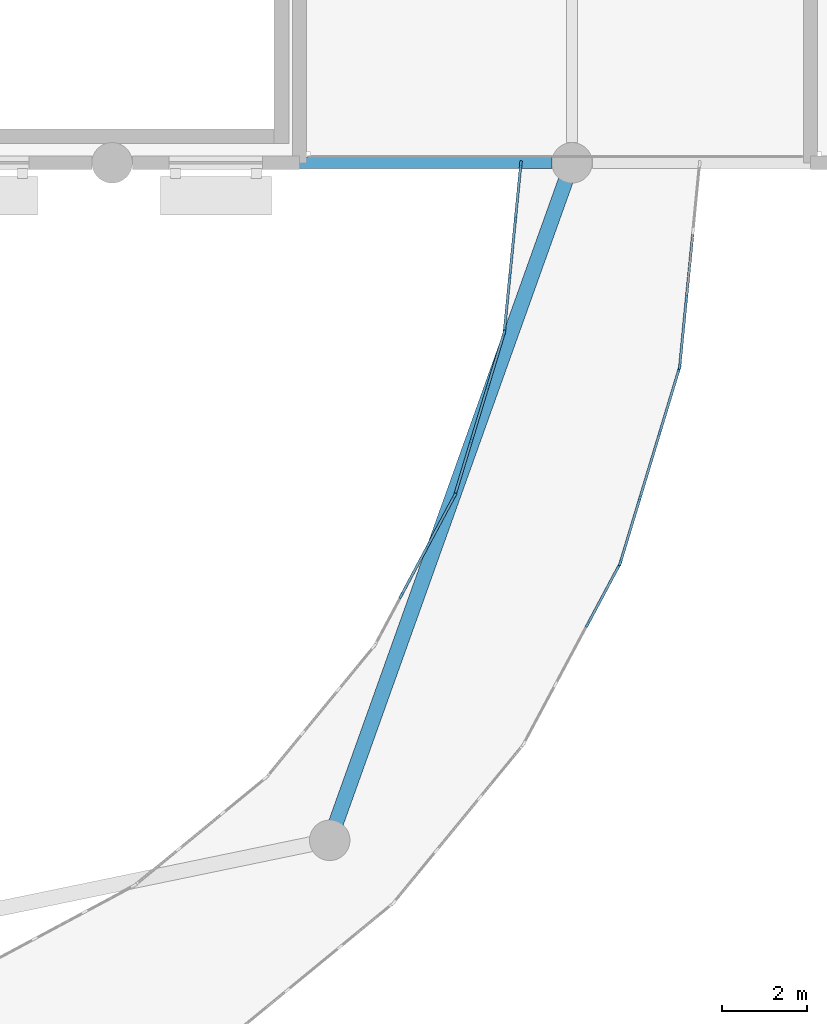
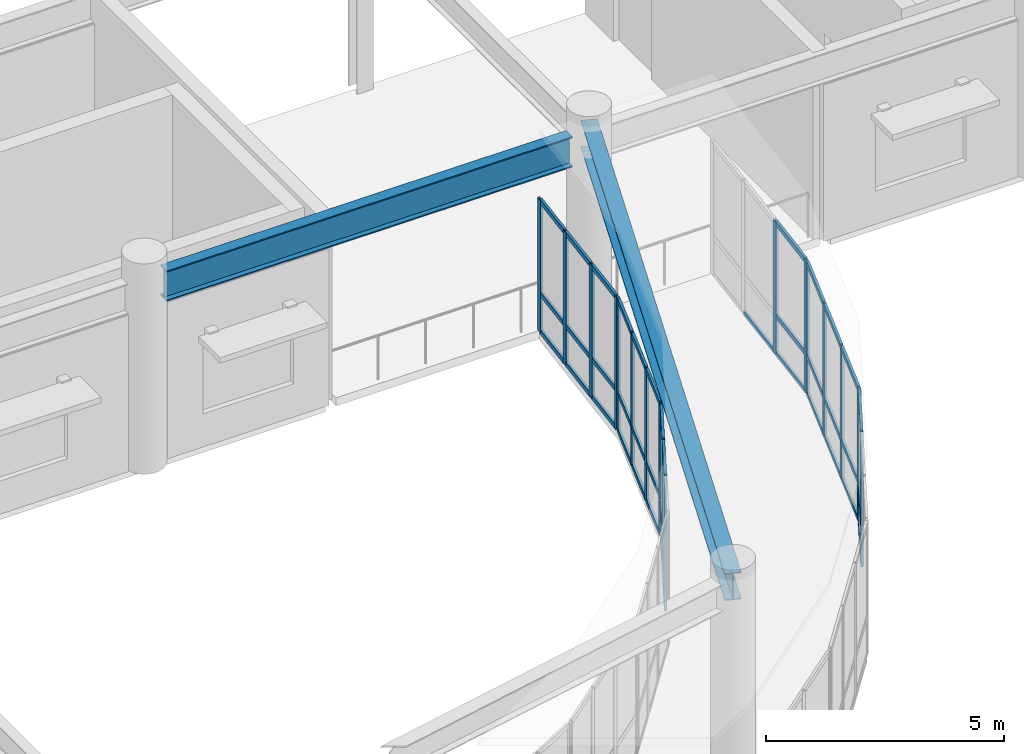
# One storey, part 25 of 68: 59 members, 2 beams, 6 elements without a shape of their own.
"""IFC4 building model written with IfcOpenShell, lengths in metres."""

from ifc_helpers import new_model, si_unit, direction, frame, origin, origin_2d, place, context, subcontext, project, spatial, rectangle, i_section, extrude, material, material_profile, profile_set, type_object, element, aggregate, save


model = new_model("IFC4")

# Units and contexts
model_context = context("Model", 3, precision=1e-05, world=origin(), true_north=direction((0.0, 1.0)))
body_context = subcontext(model_context, "Body", "Model", "MODEL_VIEW")
ifc_project = project(units=[si_unit("LENGTHUNIT", "METRE"), si_unit("AREAUNIT", "SQUARE_METRE"), si_unit("VOLUMEUNIT", "CUBIC_METRE"), si_unit("PLANEANGLEUNIT", "RADIAN"), si_unit("MASSUNIT", "GRAM", prefix="KILO")], contexts=[model_context])

# Site, building, storey
site_placement = place(None, origin())
site = spatial("IfcSite", under=ifc_project, at=site_placement, CompositionType="ELEMENT")
building_placement = place(site_placement, origin())
building = spatial("IfcBuilding", under=site, at=building_placement, Name="Veldera Park Congress Hotel", CompositionType="ELEMENT")
storey_placement = place(building_placement, frame((0.0, 0.0, 10.800048828125)))
storey = spatial("IfcBuildingStorey", under=building, at=storey_placement, Name="L02", CompositionType="ELEMENT", Elevation=10.800048828125)

# Beams
ifc_material_1 = material(Name="Steel ASTM A992 Gr.50", Category="steel")
ifc_material_profile_1 = material_profile(ifc_material_1, i_section(OverallWidth=0.35498046875, OverallDepth=0.696044921875, WebThickness=0.015380859375, FlangeThickness=0.02490234375, at=origin_2d()), Name="W27X146")
ifc_profile_set_1 = profile_set([ifc_material_profile_1], Name="Steel ASTM A992 Gr.50")
beam_type_1 = type_object("IfcBeamType", Name="BM-W27E", PredefinedType="BEAM", material=ifc_profile_set_1)
beam_1_placement = place(storey_placement, frame((14.309814453125, 1.489990234375, 4.64990234375), z_axis=(0.336760153305, 0.94159046254, 0.0), x_axis=(-0.94159046254, 0.336760153305, 0.0)))
element("IfcBeam", 1, at=beam_1_placement, inside=storey, type_object=beam_type_1, Name="L02 Skybridge Support Girder B W", PredefinedType="BEAM", context=body_context, shape_type="SweptSolid", body=[
    extrude(i_section(OverallWidth=0.35498046875, OverallDepth=0.696044921875, WebThickness=0.015380859375, FlangeThickness=0.02490234375, at=origin_2d()), origin(), (0.0, 0.0, 1.0), 16.896728515625),
])
ifc_material_profile_2 = material_profile(ifc_material_1, i_section(OverallWidth=0.26708984375, OverallDepth=0.779052734375, WebThickness=0.0166015625, FlangeThickness=0.030029296875, at=origin_2d()), Name="W30X148")
ifc_profile_set_2 = profile_set([ifc_material_profile_2], Name="Steel ASTM A992 Gr.50")
beam_type_2 = type_object("IfcBeamType", Name="BM-W30", PredefinedType="BEAM", material=ifc_profile_set_2)
beam_2_placement = place(storey_placement, frame((9.675048828125, 17.39990234375, 4.410400390625), z_axis=(1.0, 0.0, 0.0), x_axis=(0.0, 1.0, 0.0)))
element("IfcBeam", 2, at=beam_2_placement, inside=storey, type_object=beam_type_2, Name="L02 Girder BM-W30 869", PredefinedType="BEAM", context=body_context, shape_type="SweptSolid", body=[
    extrude(i_section(OverallWidth=0.26708984375, OverallDepth=0.779052734375, WebThickness=0.0166015625, FlangeThickness=0.030029296875, at=origin_2d()), origin(), (0.0, 0.0, 1.0), 9.849853515625),
])

# Curtain wall, members
ifc_material_2 = material(Name="Low-E Triple Insulating Glass Unit (SHGC 0.22)", Category="glass")
curtain_wall_type = type_object("IfcCurtainWallType", Name="CW-BRG", PredefinedType="NOTDEFINED", material=ifc_material_2)
curtain_wall_1_placement = place(storey_placement, origin())
curtain_wall_1 = element("IfcCurtainWall", 3, at=curtain_wall_1_placement, inside=storey, type_object=curtain_wall_type, Name="L02 Curtain Wall CW3-BRGW-L02-A05", PredefinedType="NOTDEFINED")
ifc_material_3 = material(Name="Anodised Aluminium Alloy 6063-T6", Category="aluminium")
ifc_material_profile_3 = material_profile(ifc_material_3, rectangle(XDim=0.06005859375, YDim=0.159912109375, at=origin_2d()), Name="ALU 60x160")
ifc_profile_set_3 = profile_set([ifc_material_profile_3], Name="Anodised Aluminium Alloy 6063-T6")
member_type_1 = type_object("IfcMemberType", Name="CWM-160", PredefinedType="MULLION", material=ifc_profile_set_3)
member_1_placement = place(storey_placement, frame((20.36962890625, 6.568359375, 0.0), z_axis=(0.0, 0.0, 1.0), x_axis=(-0.881927804203, 0.471384501415, 0.0)))
member_1 = element("IfcMember", 4, at=member_1_placement, type_object=member_type_1, Name="CW-BRG mullion 3", PredefinedType="MULLION", context=body_context, shape_type="SweptSolid", body=[
    extrude(rectangle(XDim=0.06005859375, YDim=0.159912109375, at=origin_2d()), origin(), (0.0, 0.0, 1.0), 3.39990234375),
])
member_2_placement = place(storey_placement, frame((21.11328125, 7.95947265625, 0.0), z_axis=(0.0, 0.0, 1.0), x_axis=(-0.881927804203, 0.471384501415, 0.0)))
member_2 = element("IfcMember", 5, at=member_2_placement, type_object=member_type_1, Name="CW-BRG mullion 4", PredefinedType="MULLION", context=body_context, shape_type="SweptSolid", body=[
    extrude(rectangle(XDim=0.06005859375, YDim=0.159912109375, at=origin_2d()), origin(), (0.0, 0.0, 1.0), 3.39990234375),
])

curtain_wall_2_placement = place(storey_placement, origin())
curtain_wall_2 = element("IfcCurtainWall", 6, at=curtain_wall_2_placement, inside=storey, type_object=curtain_wall_type, Name="L02 Curtain Wall CW3-BRGW-L02-A06", PredefinedType="NOTDEFINED")
member_3_placement = place(storey_placement, frame((21.13623046875, 8.0146484375, 0.0), z_axis=(0.0, 0.0, 1.0), x_axis=(-0.956939429957, 0.290287663177, 0.0)))
member_3 = element("IfcMember", 7, at=member_3_placement, type_object=member_type_1, Name="CW-BRG mullion 1", PredefinedType="MULLION", context=body_context, shape_type="SweptSolid", body=[
    extrude(rectangle(XDim=0.06005859375, YDim=0.159912109375, at=origin_2d()), origin(), (0.0, 0.0, 1.0), 3.39990234375),
])
member_4_placement = place(storey_placement, frame((21.593994140625, 9.524169921875, 0.0), z_axis=(0.0, 0.0, 1.0), x_axis=(-0.956939429957, 0.290287663177, 0.0)))
member_4 = element("IfcMember", 8, at=member_4_placement, type_object=member_type_1, Name="CW-BRG mullion 2", PredefinedType="MULLION", context=body_context, shape_type="SweptSolid", body=[
    extrude(rectangle(XDim=0.06005859375, YDim=0.159912109375, at=origin_2d()), origin(), (0.0, 0.0, 1.0), 3.39990234375),
])
member_5_placement = place(storey_placement, frame((22.060546875, 11.0625, 0.0), z_axis=(0.0, 0.0, 1.0), x_axis=(-0.956939429957, 0.290287663177, 0.0)))
member_5 = element("IfcMember", 9, at=member_5_placement, type_object=member_type_1, Name="CW-BRG mullion 3", PredefinedType="MULLION", context=body_context, shape_type="SweptSolid", body=[
    extrude(rectangle(XDim=0.06005859375, YDim=0.159912109375, at=origin_2d()), origin(), (0.0, 0.0, 1.0), 3.39990234375),
])
member_6_placement = place(storey_placement, frame((22.5185546875, 12.572021484375, 0.0), z_axis=(0.0, 0.0, 1.0), x_axis=(-0.956939429957, 0.290287663177, 0.0)))
member_6 = element("IfcMember", 10, at=member_6_placement, type_object=member_type_1, Name="CW-BRG mullion 4", PredefinedType="MULLION", context=body_context, shape_type="SweptSolid", body=[
    extrude(rectangle(XDim=0.06005859375, YDim=0.159912109375, at=origin_2d()), origin(), (0.0, 0.0, 1.0), 3.39990234375),
])

curtain_wall_3_placement = place(storey_placement, origin())
curtain_wall_3 = element("IfcCurtainWall", 11, at=curtain_wall_3_placement, inside=storey, type_object=curtain_wall_type, Name="L02 Curtain Wall CW3-BRGW-L02-A07", PredefinedType="NOTDEFINED")
member_7_placement = place(storey_placement, frame((22.5302734375, 12.630615234375, 0.0), z_axis=(0.0, 0.0, 1.0), x_axis=(-0.995184320963, 0.098021259481, 0.0)))
member_7 = element("IfcMember", 12, at=member_7_placement, type_object=member_type_1, Name="CW-BRG mullion 1", PredefinedType="MULLION", context=body_context, shape_type="SweptSolid", body=[
    extrude(rectangle(XDim=0.06005859375, YDim=0.159912109375, at=origin_2d()), origin(), (0.0, 0.0, 1.0), 3.39990234375),
])
member_8_placement = place(storey_placement, frame((22.684814453125, 14.200439453125, 0.0), z_axis=(0.0, 0.0, 1.0), x_axis=(-0.995184320963, 0.098021259481, 0.0)))
member_8 = element("IfcMember", 13, at=member_8_placement, type_object=member_type_1, Name="CW-BRG mullion 2", PredefinedType="MULLION", context=body_context, shape_type="SweptSolid", body=[
    extrude(rectangle(XDim=0.06005859375, YDim=0.159912109375, at=origin_2d()), origin(), (0.0, 0.0, 1.0), 3.39990234375),
])

curtain_wall_4_placement = place(storey_placement, origin())
curtain_wall_4 = element("IfcCurtainWall", 14, at=curtain_wall_4_placement, inside=storey, type_object=curtain_wall_type, Name="L02 Curtain Wall CW3-BRGW-L02-B09", PredefinedType="NOTDEFINED")
member_9_placement = place(storey_placement, frame((18.797119140625, 17.3701171875, 0.0), z_axis=(0.0, 0.0, 1.0), x_axis=(0.99518414337, -0.098023062513, 0.0)))
member_9 = element("IfcMember", 15, at=member_9_placement, type_object=member_type_1, Name="CW-BRG mullion 1", PredefinedType="MULLION", context=body_context, shape_type="SweptSolid", body=[
    extrude(rectangle(XDim=0.06005859375, YDim=0.159912109375, at=origin_2d()), origin(), (0.0, 0.0, 1.0), 3.39990234375),
])
member_10_placement = place(storey_placement, frame((18.66943359375, 16.073486328125, 0.0), z_axis=(0.0, 0.0, 1.0), x_axis=(0.99518414337, -0.098023062513, 0.0)))
member_10 = element("IfcMember", 16, at=member_10_placement, type_object=member_type_1, Name="CW-BRG mullion 2", PredefinedType="MULLION", context=body_context, shape_type="SweptSolid", body=[
    extrude(rectangle(XDim=0.06005859375, YDim=0.159912109375, at=origin_2d()), origin(), (0.0, 0.0, 1.0), 3.39990234375),
])
member_11_placement = place(storey_placement, frame((18.53857421875, 14.746826171875, 0.0), z_axis=(0.0, 0.0, 1.0), x_axis=(0.99518414337, -0.098023062513, 0.0)))
member_11 = element("IfcMember", 17, at=member_11_placement, type_object=member_type_1, Name="CW-BRG mullion 3", PredefinedType="MULLION", context=body_context, shape_type="SweptSolid", body=[
    extrude(rectangle(XDim=0.06005859375, YDim=0.159912109375, at=origin_2d()), origin(), (0.0, 0.0, 1.0), 3.39990234375),
])
member_12_placement = place(storey_placement, frame((18.410888671875, 13.449951171875, 0.0), z_axis=(0.0, 0.0, 1.0), x_axis=(0.99518414337, -0.098023062513, 0.0)))
member_12 = element("IfcMember", 18, at=member_12_placement, type_object=member_type_1, Name="CW-BRG mullion 4", PredefinedType="MULLION", context=body_context, shape_type="SweptSolid", body=[
    extrude(rectangle(XDim=0.06005859375, YDim=0.159912109375, at=origin_2d()), origin(), (0.0, 0.0, 1.0), 3.39990234375),
])

curtain_wall_5_placement = place(storey_placement, origin())
curtain_wall_5 = element("IfcCurtainWall", 19, at=curtain_wall_5_placement, inside=storey, type_object=curtain_wall_type, Name="L02 Curtain Wall CW3-BRGW-L02-B10", PredefinedType="NOTDEFINED")
member_13_placement = place(storey_placement, frame((18.399169921875, 13.3916015625, 0.0), z_axis=(0.0, 0.0, 1.0), x_axis=(0.956938767513, -0.290289846929, 0.0)))
member_13 = element("IfcMember", 20, at=member_13_placement, type_object=member_type_1, Name="CW-BRG mullion 1", PredefinedType="MULLION", context=body_context, shape_type="SweptSolid", body=[
    extrude(rectangle(XDim=0.06005859375, YDim=0.159912109375, at=origin_2d()), origin(), (0.0, 0.0, 1.0), 3.39990234375),
])
member_14_placement = place(storey_placement, frame((18.02099609375, 12.14453125, 0.0), z_axis=(0.0, 0.0, 1.0), x_axis=(0.956938767513, -0.290289846929, 0.0)))
member_14 = element("IfcMember", 21, at=member_14_placement, type_object=member_type_1, Name="CW-BRG mullion 2", PredefinedType="MULLION", context=body_context, shape_type="SweptSolid", body=[
    extrude(rectangle(XDim=0.06005859375, YDim=0.159912109375, at=origin_2d()), origin(), (0.0, 0.0, 1.0), 3.39990234375),
])
member_15_placement = place(storey_placement, frame((17.634033203125, 10.868896484375, 0.0), z_axis=(0.0, 0.0, 1.0), x_axis=(0.956938767513, -0.290289846929, 0.0)))
member_15 = element("IfcMember", 22, at=member_15_placement, type_object=member_type_1, Name="CW-BRG mullion 3", PredefinedType="MULLION", context=body_context, shape_type="SweptSolid", body=[
    extrude(rectangle(XDim=0.06005859375, YDim=0.159912109375, at=origin_2d()), origin(), (0.0, 0.0, 1.0), 3.39990234375),
])
member_16_placement = place(storey_placement, frame((17.255859375, 9.6220703125, 0.0), z_axis=(0.0, 0.0, 1.0), x_axis=(0.956938767513, -0.290289846929, 0.0)))
member_16 = element("IfcMember", 23, at=member_16_placement, type_object=member_type_1, Name="CW-BRG mullion 4", PredefinedType="MULLION", context=body_context, shape_type="SweptSolid", body=[
    extrude(rectangle(XDim=0.06005859375, YDim=0.159912109375, at=origin_2d()), origin(), (0.0, 0.0, 1.0), 3.39990234375),
])

curtain_wall_6_placement = place(storey_placement, origin())
curtain_wall_6 = element("IfcCurtainWall", 24, at=curtain_wall_6_placement, inside=storey, type_object=curtain_wall_type, Name="L02 Curtain Wall CW3-BRGW-L02-B11", PredefinedType="NOTDEFINED")
member_17_placement = place(storey_placement, frame((17.23291015625, 9.56689453125, 0.0), z_axis=(0.0, 0.0, 1.0), x_axis=(0.881928263239, -0.471383642588, 0.0)))
member_17 = element("IfcMember", 25, at=member_17_placement, type_object=member_type_1, Name="CW-BRG mullion 1", PredefinedType="MULLION", context=body_context, shape_type="SweptSolid", body=[
    extrude(rectangle(XDim=0.06005859375, YDim=0.159912109375, at=origin_2d()), origin(), (0.0, 0.0, 1.0), 3.39990234375),
])
member_18_placement = place(storey_placement, frame((16.61865234375, 8.417724609375, 0.0), z_axis=(0.0, 0.0, 1.0), x_axis=(0.881928263239, -0.471383642588, 0.0)))
member_18 = element("IfcMember", 26, at=member_18_placement, type_object=member_type_1, Name="CW-BRG mullion 2", PredefinedType="MULLION", context=body_context, shape_type="SweptSolid", body=[
    extrude(rectangle(XDim=0.06005859375, YDim=0.159912109375, at=origin_2d()), origin(), (0.0, 0.0, 1.0), 3.39990234375),
])
member_19_placement = place(storey_placement, frame((15.990478515625, 7.241943359375, 0.0), z_axis=(0.0, 0.0, 1.0), x_axis=(0.881928263239, -0.471383642588, 0.0)))
member_19 = element("IfcMember", 27, at=member_19_placement, type_object=member_type_1, Name="CW-BRG mullion 3", PredefinedType="MULLION", context=body_context, shape_type="SweptSolid", body=[
    extrude(rectangle(XDim=0.06005859375, YDim=0.159912109375, at=origin_2d()), origin(), (0.0, 0.0, 1.0), 3.39990234375),
])

# Member
ifc_material_profile_4 = material_profile(ifc_material_3, rectangle(XDim=0.06005859375, YDim=0.1201171875, at=origin_2d()), Name="ALU 60x120")
ifc_profile_set_4 = profile_set([ifc_material_profile_4], Name="Anodised Aluminium Alloy 6063-T6")
member_type_2 = type_object("IfcMemberType", Name="CWT-120", PredefinedType="USERDEFINED", material=ifc_profile_set_4)
member_20_placement = place(storey_placement, frame((20.3837890625, 6.5947265625, 0.030029296875), z_axis=(0.4713729563, 0.881933974892, 0.0), x_axis=(-0.881933974892, 0.4713729563, 0.0)))
member_20 = element("IfcMember", 28, at=member_20_placement, type_object=member_type_2, Name="CW-BRG transom 3.1", ObjectType="TRANSOM", PredefinedType="USERDEFINED", context=body_context, shape_type="SweptSolid", body=[
    extrude(rectangle(XDim=0.06005859375, YDim=0.1201171875, at=origin_2d()), origin(), (0.0, 0.0, 1.0), 1.517578125),
])

member_21_placement = place(storey_placement, frame((20.3837890625, 6.5947265625, 1.0), z_axis=(0.4713729563, 0.881933974892, 0.0), x_axis=(-0.881933974892, 0.4713729563, 0.0)))
member_21 = element("IfcMember", 29, at=member_21_placement, type_object=member_type_2, Name="CW-BRG transom 3.2", ObjectType="TRANSOM", PredefinedType="USERDEFINED", context=body_context, shape_type="SweptSolid", body=[
    extrude(rectangle(XDim=0.06005859375, YDim=0.1201171875, at=origin_2d()), origin(), (0.0, 0.0, 1.0), 1.517578125),
])

member_22_placement = place(storey_placement, frame((20.3837890625, 6.5947265625, 3.369873046875), z_axis=(0.4713729563, 0.881933974892, 0.0), x_axis=(-0.881933974892, 0.4713729563, 0.0)))
member_22 = element("IfcMember", 30, at=member_22_placement, type_object=member_type_2, Name="CW-BRG transom 3.3", ObjectType="TRANSOM", PredefinedType="USERDEFINED", context=body_context, shape_type="SweptSolid", body=[
    extrude(rectangle(XDim=0.06005859375, YDim=0.1201171875, at=origin_2d()), origin(), (0.0, 0.0, 1.0), 1.517578125),
])

aggregate(curtain_wall_1, [member_1, member_2, member_20, member_21, member_22])

member_23_placement = place(storey_placement, frame((21.144775390625, 8.04345703125, 0.030029296875), z_axis=(0.290239583177, 0.956954013711, 0.0), x_axis=(-0.956954013711, 0.290239583177, 0.0)))
member_23 = element("IfcMember", 31, at=member_23_placement, type_object=member_type_2, Name="CW-BRG transom 1.1", ObjectType="TRANSOM", PredefinedType="USERDEFINED", context=body_context, shape_type="SweptSolid", body=[
    extrude(rectangle(XDim=0.06005859375, YDim=0.1201171875, at=origin_2d()), origin(), (0.0, 0.0, 1.0), 1.517578125),
])

member_24_placement = place(storey_placement, frame((21.144775390625, 8.04345703125, 1.0), z_axis=(0.290239583177, 0.956954013711, 0.0), x_axis=(-0.956954013711, 0.290239583177, 0.0)))
member_24 = element("IfcMember", 32, at=member_24_placement, type_object=member_type_2, Name="CW-BRG transom 1.2", ObjectType="TRANSOM", PredefinedType="USERDEFINED", context=body_context, shape_type="SweptSolid", body=[
    extrude(rectangle(XDim=0.06005859375, YDim=0.1201171875, at=origin_2d()), origin(), (0.0, 0.0, 1.0), 1.517578125),
])

member_25_placement = place(storey_placement, frame((21.144775390625, 8.04345703125, 3.369873046875), z_axis=(0.290239583177, 0.956954013711, 0.0), x_axis=(-0.956954013711, 0.290239583177, 0.0)))
member_25 = element("IfcMember", 33, at=member_25_placement, type_object=member_type_2, Name="CW-BRG transom 1.3", ObjectType="TRANSOM", PredefinedType="USERDEFINED", context=body_context, shape_type="SweptSolid", body=[
    extrude(rectangle(XDim=0.06005859375, YDim=0.1201171875, at=origin_2d()), origin(), (0.0, 0.0, 1.0), 1.517578125),
])

member_26_placement = place(storey_placement, frame((21.602783203125, 9.552978515625, 0.030029296875), z_axis=(0.29027008903, 0.9569447609, 0.0), x_axis=(-0.9569447609, 0.29027008903, 0.0)))
member_26 = element("IfcMember", 34, at=member_26_placement, type_object=member_type_2, Name="CW-BRG transom 2.1", ObjectType="TRANSOM", PredefinedType="USERDEFINED", context=body_context, shape_type="SweptSolid", body=[
    extrude(rectangle(XDim=0.06005859375, YDim=0.1201171875, at=origin_2d()), origin(), (0.0, 0.0, 1.0), 1.547607421875),
])

member_27_placement = place(storey_placement, frame((21.602783203125, 9.552978515625, 1.0), z_axis=(0.29027008903, 0.9569447609, 0.0), x_axis=(-0.9569447609, 0.29027008903, 0.0)))
member_27 = element("IfcMember", 35, at=member_27_placement, type_object=member_type_2, Name="CW-BRG transom 2.2", ObjectType="TRANSOM", PredefinedType="USERDEFINED", context=body_context, shape_type="SweptSolid", body=[
    extrude(rectangle(XDim=0.06005859375, YDim=0.1201171875, at=origin_2d()), origin(), (0.0, 0.0, 1.0), 1.547607421875),
])

member_28_placement = place(storey_placement, frame((21.602783203125, 9.552978515625, 3.369873046875), z_axis=(0.29027008903, 0.9569447609, 0.0), x_axis=(-0.9569447609, 0.29027008903, 0.0)))
member_28 = element("IfcMember", 36, at=member_28_placement, type_object=member_type_2, Name="CW-BRG transom 2.3", ObjectType="TRANSOM", PredefinedType="USERDEFINED", context=body_context, shape_type="SweptSolid", body=[
    extrude(rectangle(XDim=0.06005859375, YDim=0.1201171875, at=origin_2d()), origin(), (0.0, 0.0, 1.0), 1.547607421875),
])

member_29_placement = place(storey_placement, frame((22.0693359375, 11.09130859375, 0.030029296875), z_axis=(0.290239583177, 0.956954013711, 0.0), x_axis=(-0.956954013711, 0.290239583177, 0.0)))
member_29 = element("IfcMember", 37, at=member_29_placement, type_object=member_type_2, Name="CW-BRG transom 3.1", ObjectType="TRANSOM", PredefinedType="USERDEFINED", context=body_context, shape_type="SweptSolid", body=[
    extrude(rectangle(XDim=0.06005859375, YDim=0.1201171875, at=origin_2d()), origin(), (0.0, 0.0, 1.0), 1.517578125),
])

member_30_placement = place(storey_placement, frame((22.0693359375, 11.09130859375, 1.0), z_axis=(0.290239583177, 0.956954013711, 0.0), x_axis=(-0.956954013711, 0.290239583177, 0.0)))
member_30 = element("IfcMember", 38, at=member_30_placement, type_object=member_type_2, Name="CW-BRG transom 3.2", ObjectType="TRANSOM", PredefinedType="USERDEFINED", context=body_context, shape_type="SweptSolid", body=[
    extrude(rectangle(XDim=0.06005859375, YDim=0.1201171875, at=origin_2d()), origin(), (0.0, 0.0, 1.0), 1.517578125),
])

member_31_placement = place(storey_placement, frame((22.0693359375, 11.09130859375, 3.369873046875), z_axis=(0.290239583177, 0.956954013711, 0.0), x_axis=(-0.956954013711, 0.290239583177, 0.0)))
member_31 = element("IfcMember", 39, at=member_31_placement, type_object=member_type_2, Name="CW-BRG transom 3.3", ObjectType="TRANSOM", PredefinedType="USERDEFINED", context=body_context, shape_type="SweptSolid", body=[
    extrude(rectangle(XDim=0.06005859375, YDim=0.1201171875, at=origin_2d()), origin(), (0.0, 0.0, 1.0), 1.517578125),
])

aggregate(curtain_wall_2, [member_3, member_4, member_5, member_6, member_23, member_24, member_25, member_26, member_27, member_28, member_29, member_30, member_31])

member_32_placement = place(storey_placement, frame((22.533203125, 12.660400390625, 0.030029296875), z_axis=(0.097974467756, 0.99518892863, 0.0), x_axis=(-0.99518892863, 0.097974467756, 0.0)))
member_32 = element("IfcMember", 40, at=member_32_placement, type_object=member_type_2, Name="CW-BRG transom 1.1", ObjectType="TRANSOM", PredefinedType="USERDEFINED", context=body_context, shape_type="SweptSolid", body=[
    extrude(rectangle(XDim=0.06005859375, YDim=0.1201171875, at=origin_2d()), origin(), (0.0, 0.0, 1.0), 1.517578125),
])

member_33_placement = place(storey_placement, frame((22.533203125, 12.660400390625, 1.0), z_axis=(0.097974467756, 0.99518892863, 0.0), x_axis=(-0.99518892863, 0.097974467756, 0.0)))
member_33 = element("IfcMember", 41, at=member_33_placement, type_object=member_type_2, Name="CW-BRG transom 1.2", ObjectType="TRANSOM", PredefinedType="USERDEFINED", context=body_context, shape_type="SweptSolid", body=[
    extrude(rectangle(XDim=0.06005859375, YDim=0.1201171875, at=origin_2d()), origin(), (0.0, 0.0, 1.0), 1.517578125),
])

member_34_placement = place(storey_placement, frame((22.533203125, 12.660400390625, 3.369873046875), z_axis=(0.097974467756, 0.99518892863, 0.0), x_axis=(-0.99518892863, 0.097974467756, 0.0)))
member_34 = element("IfcMember", 42, at=member_34_placement, type_object=member_type_2, Name="CW-BRG transom 1.3", ObjectType="TRANSOM", PredefinedType="USERDEFINED", context=body_context, shape_type="SweptSolid", body=[
    extrude(rectangle(XDim=0.06005859375, YDim=0.1201171875, at=origin_2d()), origin(), (0.0, 0.0, 1.0), 1.517578125),
])

member_35_placement = place(storey_placement, frame((22.687744140625, 14.23046875, 0.030029296875), z_axis=(0.09812904888, 0.995173698289, 0.0), x_axis=(-0.995173698289, 0.09812904888, 0.0)))
member_35 = element("IfcMember", 43, at=member_35_placement, type_object=member_type_2, Name="CW-BRG transom 2.1", ObjectType="TRANSOM", PredefinedType="USERDEFINED", context=body_context, shape_type="SweptSolid", body=[
    extrude(rectangle(XDim=0.06005859375, YDim=0.1201171875, at=origin_2d()), origin(), (0.0, 0.0, 1.0), 1.547607421875),
])

aggregate(curtain_wall_3, [member_7, member_8, member_32, member_33, member_34, member_35])

member_36_placement = place(storey_placement, frame((18.794189453125, 17.34033203125, 0.030029296875), z_axis=(-0.098006258807, -0.995185798349, 0.0), x_axis=(0.995185798349, -0.098006258807, 0.0)))
member_36 = element("IfcMember", 44, at=member_36_placement, type_object=member_type_2, Name="CW-BRG transom 1.1", ObjectType="TRANSOM", PredefinedType="USERDEFINED", context=body_context, shape_type="SweptSolid", body=[
    extrude(rectangle(XDim=0.06005859375, YDim=0.1201171875, at=origin_2d()), origin(), (0.0, 0.0, 1.0), 1.2431640625),
])

member_37_placement = place(storey_placement, frame((18.794189453125, 17.34033203125, 1.0), z_axis=(-0.098006258807, -0.995185798349, 0.0), x_axis=(0.995185798349, -0.098006258807, 0.0)))
member_37 = element("IfcMember", 45, at=member_37_placement, type_object=member_type_2, Name="CW-BRG transom 1.2", ObjectType="TRANSOM", PredefinedType="USERDEFINED", context=body_context, shape_type="SweptSolid", body=[
    extrude(rectangle(XDim=0.06005859375, YDim=0.1201171875, at=origin_2d()), origin(), (0.0, 0.0, 1.0), 1.2431640625),
])

member_38_placement = place(storey_placement, frame((18.794189453125, 17.34033203125, 3.369873046875), z_axis=(-0.098006258807, -0.995185798349, 0.0), x_axis=(0.995185798349, -0.098006258807, 0.0)))
member_38 = element("IfcMember", 46, at=member_38_placement, type_object=member_type_2, Name="CW-BRG transom 1.3", ObjectType="TRANSOM", PredefinedType="USERDEFINED", context=body_context, shape_type="SweptSolid", body=[
    extrude(rectangle(XDim=0.06005859375, YDim=0.1201171875, at=origin_2d()), origin(), (0.0, 0.0, 1.0), 1.2431640625),
])

member_39_placement = place(storey_placement, frame((18.66650390625, 16.04345703125, 0.030029296875), z_axis=(-0.098193425009, -0.995167348382, 0.0), x_axis=(0.995167348382, -0.098193425009, 0.0)))
member_39 = element("IfcMember", 47, at=member_39_placement, type_object=member_type_2, Name="CW-BRG transom 2.1", ObjectType="TRANSOM", PredefinedType="USERDEFINED", context=body_context, shape_type="SweptSolid", body=[
    extrude(rectangle(XDim=0.06005859375, YDim=0.1201171875, at=origin_2d()), origin(), (0.0, 0.0, 1.0), 1.27294921875),
])

member_40_placement = place(storey_placement, frame((18.66650390625, 16.04345703125, 1.0), z_axis=(-0.098193425009, -0.995167348382, 0.0), x_axis=(0.995167348382, -0.098193425009, 0.0)))
member_40 = element("IfcMember", 48, at=member_40_placement, type_object=member_type_2, Name="CW-BRG transom 2.2", ObjectType="TRANSOM", PredefinedType="USERDEFINED", context=body_context, shape_type="SweptSolid", body=[
    extrude(rectangle(XDim=0.06005859375, YDim=0.1201171875, at=origin_2d()), origin(), (0.0, 0.0, 1.0), 1.27294921875),
])

member_41_placement = place(storey_placement, frame((18.66650390625, 16.04345703125, 3.369873046875), z_axis=(-0.098193425009, -0.995167348382, 0.0), x_axis=(0.995167348382, -0.098193425009, 0.0)))
member_41 = element("IfcMember", 49, at=member_41_placement, type_object=member_type_2, Name="CW-BRG transom 2.3", ObjectType="TRANSOM", PredefinedType="USERDEFINED", context=body_context, shape_type="SweptSolid", body=[
    extrude(rectangle(XDim=0.06005859375, YDim=0.1201171875, at=origin_2d()), origin(), (0.0, 0.0, 1.0), 1.27294921875),
])

member_42_placement = place(storey_placement, frame((18.53564453125, 14.717041015625, 0.030029296875), z_axis=(-0.098006258807, -0.995185798349, 0.0), x_axis=(0.995185798349, -0.098006258807, 0.0)))
member_42 = element("IfcMember", 50, at=member_42_placement, type_object=member_type_2, Name="CW-BRG transom 3.1", ObjectType="TRANSOM", PredefinedType="USERDEFINED", context=body_context, shape_type="SweptSolid", body=[
    extrude(rectangle(XDim=0.06005859375, YDim=0.1201171875, at=origin_2d()), origin(), (0.0, 0.0, 1.0), 1.2431640625),
])

member_43_placement = place(storey_placement, frame((18.53564453125, 14.717041015625, 1.0), z_axis=(-0.098006258807, -0.995185798349, 0.0), x_axis=(0.995185798349, -0.098006258807, 0.0)))
member_43 = element("IfcMember", 51, at=member_43_placement, type_object=member_type_2, Name="CW-BRG transom 3.2", ObjectType="TRANSOM", PredefinedType="USERDEFINED", context=body_context, shape_type="SweptSolid", body=[
    extrude(rectangle(XDim=0.06005859375, YDim=0.1201171875, at=origin_2d()), origin(), (0.0, 0.0, 1.0), 1.2431640625),
])

member_44_placement = place(storey_placement, frame((18.53564453125, 14.717041015625, 3.369873046875), z_axis=(-0.098006258807, -0.995185798349, 0.0), x_axis=(0.995185798349, -0.098006258807, 0.0)))
member_44 = element("IfcMember", 52, at=member_44_placement, type_object=member_type_2, Name="CW-BRG transom 3.3", ObjectType="TRANSOM", PredefinedType="USERDEFINED", context=body_context, shape_type="SweptSolid", body=[
    extrude(rectangle(XDim=0.06005859375, YDim=0.1201171875, at=origin_2d()), origin(), (0.0, 0.0, 1.0), 1.2431640625),
])

aggregate(curtain_wall_4, [member_9, member_10, member_11, member_12, member_36, member_37, member_38, member_39, member_40, member_41, member_42, member_43, member_44])

member_45_placement = place(storey_placement, frame((18.390625, 13.36279296875, 0.030029296875), z_axis=(-0.290301756665, -0.956935154583, 0.0), x_axis=(0.956935154583, -0.290301756665, 0.0)))
member_45 = element("IfcMember", 53, at=member_45_placement, type_object=member_type_2, Name="CW-BRG transom 1.1", ObjectType="TRANSOM", PredefinedType="USERDEFINED", context=body_context, shape_type="SweptSolid", body=[
    extrude(rectangle(XDim=0.06005859375, YDim=0.1201171875, at=origin_2d()), origin(), (0.0, 0.0, 1.0), 1.242919921875),
])

member_46_placement = place(storey_placement, frame((18.390625, 13.36279296875, 1.0), z_axis=(-0.290301756665, -0.956935154583, 0.0), x_axis=(0.956935154583, -0.290301756665, 0.0)))
member_46 = element("IfcMember", 54, at=member_46_placement, type_object=member_type_2, Name="CW-BRG transom 1.2", ObjectType="TRANSOM", PredefinedType="USERDEFINED", context=body_context, shape_type="SweptSolid", body=[
    extrude(rectangle(XDim=0.06005859375, YDim=0.1201171875, at=origin_2d()), origin(), (0.0, 0.0, 1.0), 1.242919921875),
])

member_47_placement = place(storey_placement, frame((18.390625, 13.36279296875, 3.369873046875), z_axis=(-0.290301756665, -0.956935154583, 0.0), x_axis=(0.956935154583, -0.290301756665, 0.0)))
member_47 = element("IfcMember", 55, at=member_47_placement, type_object=member_type_2, Name="CW-BRG transom 1.3", ObjectType="TRANSOM", PredefinedType="USERDEFINED", context=body_context, shape_type="SweptSolid", body=[
    extrude(rectangle(XDim=0.06005859375, YDim=0.1201171875, at=origin_2d()), origin(), (0.0, 0.0, 1.0), 1.242919921875),
])

member_48_placement = place(storey_placement, frame((18.01220703125, 12.115966796875, 0.030029296875), z_axis=(-0.290161750284, -0.956977616599, 0.0), x_axis=(0.956977616599, -0.290161750284, 0.0)))
member_48 = element("IfcMember", 56, at=member_48_placement, type_object=member_type_2, Name="CW-BRG transom 2.1", ObjectType="TRANSOM", PredefinedType="USERDEFINED", context=body_context, shape_type="SweptSolid", body=[
    extrude(rectangle(XDim=0.06005859375, YDim=0.1201171875, at=origin_2d()), origin(), (0.0, 0.0, 1.0), 1.27294921875),
])

member_49_placement = place(storey_placement, frame((18.01220703125, 12.115966796875, 1.0), z_axis=(-0.290161750284, -0.956977616599, 0.0), x_axis=(0.956977616599, -0.290161750284, 0.0)))
member_49 = element("IfcMember", 57, at=member_49_placement, type_object=member_type_2, Name="CW-BRG transom 2.2", ObjectType="TRANSOM", PredefinedType="USERDEFINED", context=body_context, shape_type="SweptSolid", body=[
    extrude(rectangle(XDim=0.06005859375, YDim=0.1201171875, at=origin_2d()), origin(), (0.0, 0.0, 1.0), 1.27294921875),
])

member_50_placement = place(storey_placement, frame((18.01220703125, 12.115966796875, 3.369873046875), z_axis=(-0.290161750284, -0.956977616599, 0.0), x_axis=(0.956977616599, -0.290161750284, 0.0)))
member_50 = element("IfcMember", 58, at=member_50_placement, type_object=member_type_2, Name="CW-BRG transom 2.3", ObjectType="TRANSOM", PredefinedType="USERDEFINED", context=body_context, shape_type="SweptSolid", body=[
    extrude(rectangle(XDim=0.06005859375, YDim=0.1201171875, at=origin_2d()), origin(), (0.0, 0.0, 1.0), 1.27294921875),
])

member_51_placement = place(storey_placement, frame((17.625244140625, 10.84033203125, 0.030029296875), z_axis=(-0.290247202296, -0.956951702835, 0.0), x_axis=(0.956951702835, -0.290247202296, 0.0)))
member_51 = element("IfcMember", 59, at=member_51_placement, type_object=member_type_2, Name="CW-BRG transom 3.1", ObjectType="TRANSOM", PredefinedType="USERDEFINED", context=body_context, shape_type="SweptSolid", body=[
    extrude(rectangle(XDim=0.06005859375, YDim=0.1201171875, at=origin_2d()), origin(), (0.0, 0.0, 1.0), 1.2431640625),
])

member_52_placement = place(storey_placement, frame((17.625244140625, 10.84033203125, 1.0), z_axis=(-0.290247202296, -0.956951702835, 0.0), x_axis=(0.956951702835, -0.290247202296, 0.0)))
member_52 = element("IfcMember", 60, at=member_52_placement, type_object=member_type_2, Name="CW-BRG transom 3.2", ObjectType="TRANSOM", PredefinedType="USERDEFINED", context=body_context, shape_type="SweptSolid", body=[
    extrude(rectangle(XDim=0.06005859375, YDim=0.1201171875, at=origin_2d()), origin(), (0.0, 0.0, 1.0), 1.2431640625),
])

member_53_placement = place(storey_placement, frame((17.625244140625, 10.84033203125, 3.369873046875), z_axis=(-0.290247202296, -0.956951702835, 0.0), x_axis=(0.956951702835, -0.290247202296, 0.0)))
member_53 = element("IfcMember", 61, at=member_53_placement, type_object=member_type_2, Name="CW-BRG transom 3.3", ObjectType="TRANSOM", PredefinedType="USERDEFINED", context=body_context, shape_type="SweptSolid", body=[
    extrude(rectangle(XDim=0.06005859375, YDim=0.1201171875, at=origin_2d()), origin(), (0.0, 0.0, 1.0), 1.2431640625),
])

aggregate(curtain_wall_5, [member_13, member_14, member_15, member_16, member_45, member_46, member_47, member_48, member_49, member_50, member_51, member_52, member_53])

member_54_placement = place(storey_placement, frame((17.21875, 9.540283203125, 0.030029296875), z_axis=(-0.471403611449, -0.881917589752, 0.0), x_axis=(0.881917589752, -0.471403611449, 0.0)))
member_54 = element("IfcMember", 62, at=member_54_placement, type_object=member_type_2, Name="CW-BRG transom 1.1", ObjectType="TRANSOM", PredefinedType="USERDEFINED", context=body_context, shape_type="SweptSolid", body=[
    extrude(rectangle(XDim=0.06005859375, YDim=0.1201171875, at=origin_2d()), origin(), (0.0, 0.0, 1.0), 1.242919921875),
])

member_55_placement = place(storey_placement, frame((17.21875, 9.540283203125, 1.0), z_axis=(-0.471403611449, -0.881917589752, 0.0), x_axis=(0.881917589752, -0.471403611449, 0.0)))
member_55 = element("IfcMember", 63, at=member_55_placement, type_object=member_type_2, Name="CW-BRG transom 1.2", ObjectType="TRANSOM", PredefinedType="USERDEFINED", context=body_context, shape_type="SweptSolid", body=[
    extrude(rectangle(XDim=0.06005859375, YDim=0.1201171875, at=origin_2d()), origin(), (0.0, 0.0, 1.0), 1.242919921875),
])

member_56_placement = place(storey_placement, frame((17.21875, 9.540283203125, 3.369873046875), z_axis=(-0.471403611449, -0.881917589752, 0.0), x_axis=(0.881917589752, -0.471403611449, 0.0)))
member_56 = element("IfcMember", 64, at=member_56_placement, type_object=member_type_2, Name="CW-BRG transom 1.3", ObjectType="TRANSOM", PredefinedType="USERDEFINED", context=body_context, shape_type="SweptSolid", body=[
    extrude(rectangle(XDim=0.06005859375, YDim=0.1201171875, at=origin_2d()), origin(), (0.0, 0.0, 1.0), 1.242919921875),
])

member_57_placement = place(storey_placement, frame((16.6044921875, 8.39111328125, 0.030029296875), z_axis=(-0.471444144802, -0.881895922619, 0.0), x_axis=(0.881895922619, -0.471444144802, 0.0)))
member_57 = element("IfcMember", 65, at=member_57_placement, type_object=member_type_2, Name="CW-BRG transom 2.1", ObjectType="TRANSOM", PredefinedType="USERDEFINED", context=body_context, shape_type="SweptSolid", body=[
    extrude(rectangle(XDim=0.06005859375, YDim=0.1201171875, at=origin_2d()), origin(), (0.0, 0.0, 1.0), 1.27294921875),
])

member_58_placement = place(storey_placement, frame((16.6044921875, 8.39111328125, 1.0), z_axis=(-0.471444144802, -0.881895922619, 0.0), x_axis=(0.881895922619, -0.471444144802, 0.0)))
member_58 = element("IfcMember", 66, at=member_58_placement, type_object=member_type_2, Name="CW-BRG transom 2.2", ObjectType="TRANSOM", PredefinedType="USERDEFINED", context=body_context, shape_type="SweptSolid", body=[
    extrude(rectangle(XDim=0.06005859375, YDim=0.1201171875, at=origin_2d()), origin(), (0.0, 0.0, 1.0), 1.27294921875),
])

member_59_placement = place(storey_placement, frame((16.6044921875, 8.39111328125, 3.369873046875), z_axis=(-0.471444144802, -0.881895922619, 0.0), x_axis=(0.881895922619, -0.471444144802, 0.0)))
member_59 = element("IfcMember", 67, at=member_59_placement, type_object=member_type_2, Name="CW-BRG transom 2.3", ObjectType="TRANSOM", PredefinedType="USERDEFINED", context=body_context, shape_type="SweptSolid", body=[
    extrude(rectangle(XDim=0.06005859375, YDim=0.1201171875, at=origin_2d()), origin(), (0.0, 0.0, 1.0), 1.27294921875),
])

aggregate(curtain_wall_6, [member_17, member_18, member_19, member_54, member_55, member_56, member_57, member_58, member_59])

save(model, "model.ifc")
